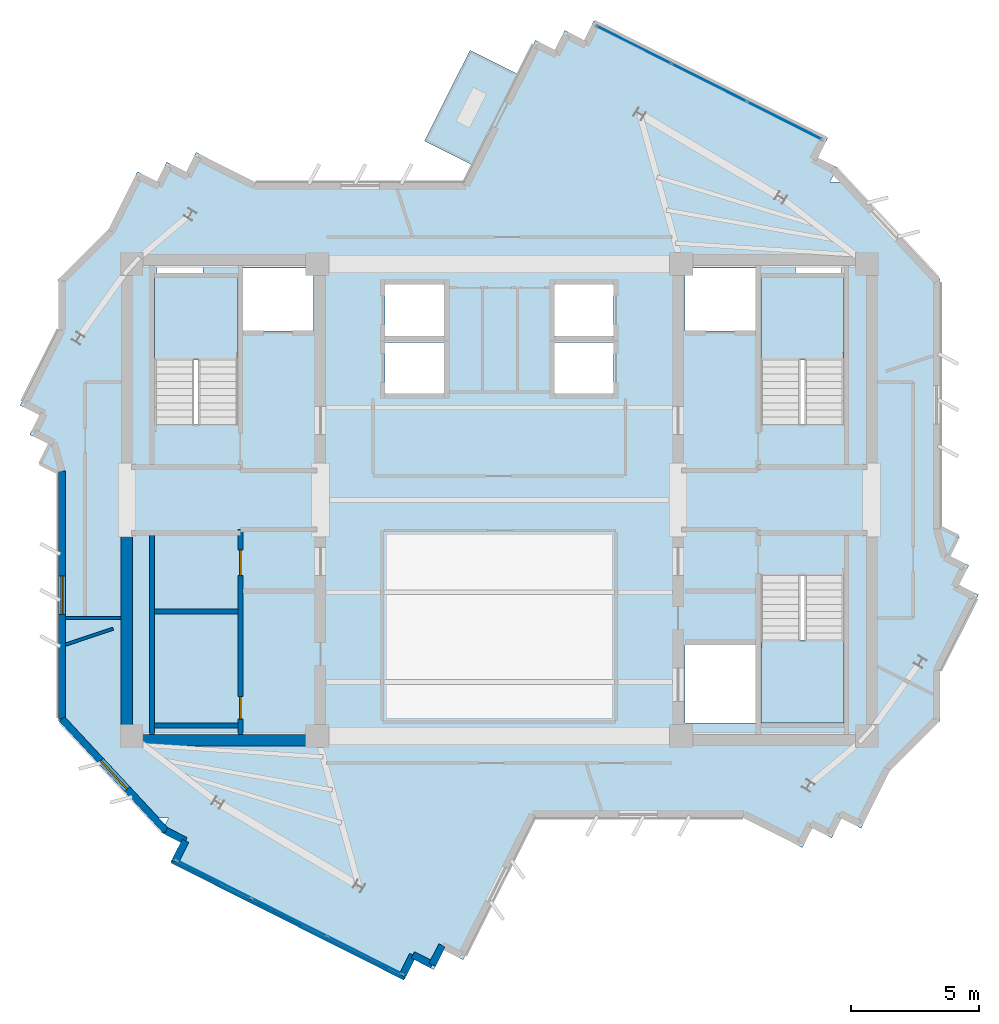
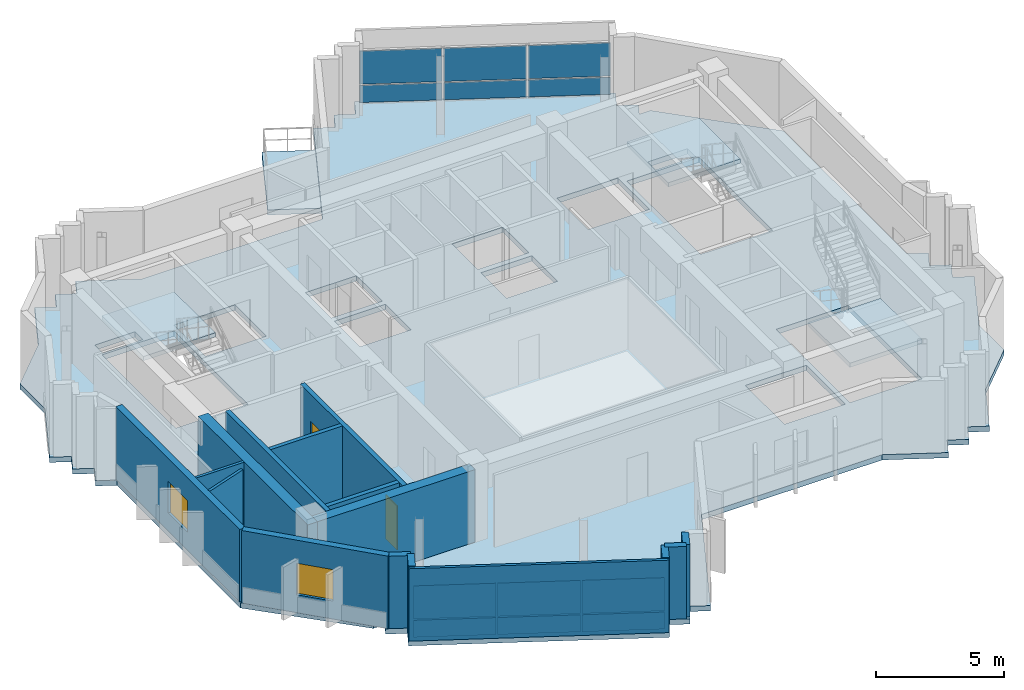
# One storey, part 5 of 11: 16 walls, 12 plates, 5 slabs, 2 doors, 2 windows, 4 openings, 5 elements without a shape of their own.
"""IFC4 building model written with IfcOpenShell, lengths in metres."""

import ifcopenshell
import ifcopenshell.guid

model = None  # the IFC model being written
_history = None  # IfcOwnerHistory: only IFC2X3 demands one
_inside = {}  # id of a spatial element -> (the spatial element, [elements in it])
_under = {}  # id of a project, library or spatial element -> (it, [spatial elements below it])
_declared = {}  # id of a project -> (the project, [libraries it declares])
_typed = {}  # id of a type object -> (the type object, [elements of that type])
_made_of = {}  # id of a material, layer set ... -> (it, [elements and type objects made of it])


def new_model(schema):
    """Start an empty IFC model of exactly this schema.

    Asked for "IFC4X3", IfcOpenShell would pick the latest addendum, in which some entities
    have other attributes; the version numbers below select the first issue.
    IFC2X3 requires an IfcOwnerHistory on every rooted entity: one is made here for all.
    """
    global model, _history
    if schema == "IFC4X3":
        model = ifcopenshell.file(schema_version=(4, 3, 0, 0))
    else:
        model = ifcopenshell.file(schema=schema)
    _inside.clear()
    _under.clear()
    _declared.clear()
    _typed.clear()
    _made_of.clear()
    _history = None
    if model.schema == "IFC2X3":
        org = make("IfcOrganization", Name="unknown")
        user = make(
            "IfcPersonAndOrganization",
            ThePerson=make("IfcPerson", FamilyName="unknown"),
            TheOrganization=org,
        )
        app = make(
            "IfcApplication",
            ApplicationDeveloper=org,
            Version="unknown",
            ApplicationFullName="unknown",
            ApplicationIdentifier="unknown",
        )
        _history = make(
            "IfcOwnerHistory",
            OwningUser=user,
            OwningApplication=app,
            ChangeAction="ADDED",
            CreationDate=0,
        )
    return model


def make(cls, **values):
    """One entity of the class cls with the attributes given. An attribute that is None is left unset."""
    return model.create_entity(
        cls, **{name: value for name, value in values.items() if value is not None}
    )


def rooted(cls, **values):
    """An entity with a GlobalId (a new one), such as an element, a storey or a relation."""
    return make(cls, GlobalId=ifcopenshell.guid.new(), OwnerHistory=_history, **values)


def si_unit(unit_type, name, prefix=None):
    """IfcSIUnit, for example si_unit("LENGTHUNIT", "METRE", prefix="MILLI")."""
    return make("IfcSIUnit", UnitType=unit_type, Prefix=prefix, Name=name)


def assignment(units):
    """IfcUnitAssignment: the units of a project."""
    return None if units is None else make("IfcUnitAssignment", Units=units)


def point(xyz):
    """IfcCartesianPoint."""
    return None if xyz is None else make("IfcCartesianPoint", Coordinates=xyz)


def direction(xyz):
    """IfcDirection."""
    return None if xyz is None else make("IfcDirection", DirectionRatios=xyz)


def frame(location, z_axis=None, x_axis=None):
    """IfcAxis2Placement3D, a coordinate frame: its origin and axes. An axis left out is left unset."""
    return make(
        "IfcAxis2Placement3D",
        Location=point(location),
        Axis=direction(z_axis),
        RefDirection=direction(x_axis),
    )


def frame_2d(location, x_axis=None):
    """IfcAxis2Placement2D, a coordinate frame in the plane: its origin and x axis."""
    return make(
        "IfcAxis2Placement2D", Location=point(location), RefDirection=direction(x_axis)
    )


def origin():
    """The frame at (0, 0, 0) with its axes left unset."""
    return frame((0.0, 0.0, 0.0))


def origin_2d():
    """The frame at (0, 0) in the plane with its x axis left unset."""
    return frame_2d((0.0, 0.0))


def place(relative_to, where):
    """IfcLocalPlacement: puts the frame where relative to a parent placement (None: the world)."""
    return make(
        "IfcLocalPlacement", PlacementRelTo=relative_to, RelativePlacement=where
    )


def context(
    kind, dimensions, precision=None, world=None, true_north=None, identifier=None
):
    """IfcGeometricRepresentationContext, for example the 3D "Model" context."""
    return make(
        "IfcGeometricRepresentationContext",
        ContextIdentifier=identifier,
        ContextType=kind,
        CoordinateSpaceDimension=dimensions,
        Precision=precision,
        WorldCoordinateSystem=world,
        TrueNorth=true_north,
    )


def subcontext(parent, identifier, kind, view, scale=None):
    """IfcGeometricRepresentationSubContext, for example "Body" below "Model"."""
    return make(
        "IfcGeometricRepresentationSubContext",
        ContextIdentifier=identifier,
        ContextType=kind,
        ParentContext=parent,
        TargetScale=scale,
        TargetView=view,
    )


def project(units=None, contexts=None):
    """IfcProject with its units and contexts."""
    return rooted(
        "IfcProject",
        Name="project",
        RepresentationContexts=contexts,
        UnitsInContext=assignment(units),
    )


def spatial(cls, under=None, at=None, **own):
    """A site, building, storey or space (cls), placed at a placement, below another one or the project."""
    s = rooted(cls, ObjectPlacement=at, **own)
    if under is not None:
        _under.setdefault(under.id(), (under, []))[1].append(s)
    return s


def polyline(points):
    """IfcPolyline through the points."""
    return make("IfcPolyline", Points=[point(p) for p in points])


def profile(cls, at=None, kind="AREA", **sizes):
    """A parametric profile (cls). Its sizes go by their IFC names, for example OverallWidth=200.0."""
    return make(cls, ProfileType=kind, Position=at, **sizes)


def rectangle(**sizes):
    """IfcRectangleProfileDef."""
    return profile("IfcRectangleProfileDef", **sizes)


def outline(outer, holes=None, kind="AREA"):
    """IfcArbitraryClosedProfileDef: a profile drawn as a closed curve; with holes, ...WithVoids."""
    if holes is None:
        return make("IfcArbitraryClosedProfileDef", ProfileType=kind, OuterCurve=outer)
    return make(
        "IfcArbitraryProfileDefWithVoids",
        ProfileType=kind,
        OuterCurve=outer,
        InnerCurves=holes,
    )


def extrude(swept, where, along, depth):
    """IfcExtrudedAreaSolid: the profile swept, set in the frame where, extruded along a direction by depth."""
    return make(
        "IfcExtrudedAreaSolid",
        SweptArea=swept,
        Position=where,
        ExtrudedDirection=direction(along),
        Depth=depth,
    )


def shape(context_of_items, identifier, shape_type, items):
    """IfcShapeRepresentation: the items that make up one representation, for example the "Body"."""
    return make(
        "IfcShapeRepresentation",
        ContextOfItems=context_of_items,
        RepresentationIdentifier=identifier,
        RepresentationType=shape_type,
        Items=items,
    )


def source(mapping_origin, context_of_items, identifier, shape_type, items):
    """IfcRepresentationMap: a shape defined once, which mapped items show again and again."""
    return make(
        "IfcRepresentationMap",
        MappingOrigin=mapping_origin,
        MappedRepresentation=shape(context_of_items, identifier, shape_type, items),
    )


def transform(
    local_origin,
    x_axis=None,
    y_axis=None,
    z_axis=None,
    scale=None,
    scale2=None,
    scale3=None,
    uniform=True,
):
    """IfcCartesianTransformationOperator3D, or its non-uniform kind. x_axis, y_axis, z_axis: its Axis1, 2, 3."""
    if uniform:
        return make(
            "IfcCartesianTransformationOperator3D",
            Axis1=direction(x_axis),
            Axis2=direction(y_axis),
            LocalOrigin=point(local_origin),
            Scale=scale,
            Axis3=direction(z_axis),
        )
    return make(
        "IfcCartesianTransformationOperator3DnonUniform",
        Axis1=direction(x_axis),
        Axis2=direction(y_axis),
        LocalOrigin=point(local_origin),
        Scale=scale,
        Axis3=direction(z_axis),
        Scale2=scale2,
        Scale3=scale3,
    )


def mapped(mapping_source, mapping_target):
    """IfcMappedItem: shows the shape of a source again, moved by a transform."""
    return make(
        "IfcMappedItem", MappingSource=mapping_source, MappingTarget=mapping_target
    )


def material(Name=None, Category=None):
    """IfcMaterial."""
    return make("IfcMaterial", Name=Name, Category=Category)


def layer(
    of_material, thickness, ventilated=None, Name=None, Category=None, Priority=None
):
    """IfcMaterialLayer: one layer of a wall or slab, of a material (None: an air gap)."""
    return make(
        "IfcMaterialLayer",
        Material=of_material,
        LayerThickness=thickness,
        IsVentilated=ventilated,
        Name=Name,
        Category=Category,
        Priority=Priority,
    )


def layer_set(layers, Name=None):
    """IfcMaterialLayerSet."""
    return make("IfcMaterialLayerSet", MaterialLayers=layers, LayerSetName=Name)


def made_of(thing, what):
    """Note that an element or type object is made of a material, layer set ...; save() writes the relation."""
    if what is not None:
        _made_of.setdefault(what.id(), (what, []))[1].append(thing)
    return thing


def type_object(cls, material=None, **own):
    """A type object (cls), such as IfcWallType, which elements share."""
    return made_of(rooted(cls, **own), material)


def element(
    cls,
    number,
    at=None,
    inside=None,
    cuts=None,
    type_object=None,
    material=None,
    context=None,
    identifier="Body",
    shape_type=None,
    held_by="IfcProductDefinitionShape",
    body=None,
    shapes=None,
    **own,
):
    """One element of the class cls, such as IfcWall. Its Tag is "e" and its number.

    at: its placement. inside: the storey or other place that contains it. cuts: it is an
    opening in that element (IfcRelVoidsElement). A single representation is given by context,
    identifier, shape_type and body (its items); several are given by shapes. held_by: the class
    of the entity that holds the representations. save() writes the other relations.
    """
    e = rooted(cls, Tag="e%d" % number, ObjectPlacement=at, **own)
    if body is not None:
        shapes = [shape(context, identifier, shape_type, body)]
    if shapes is not None:
        e.Representation = make(held_by, Representations=shapes)
    if inside is not None:
        _inside.setdefault(inside.id(), (inside, []))[1].append(e)
    if cuts is not None:
        rooted(
            "IfcRelVoidsElement", RelatingBuildingElement=cuts, RelatedOpeningElement=e
        )
    if type_object is not None:
        _typed.setdefault(type_object.id(), (type_object, []))[1].append(e)
    return made_of(e, material)


def fill(opening, filler):
    """IfcRelFillsElement: the door or window that sits in an opening."""
    return rooted(
        "IfcRelFillsElement",
        RelatingOpeningElement=opening,
        RelatedBuildingElement=filler,
    )


def aggregate(whole, parts):
    """IfcRelAggregates: a whole, such as a stair, and the parts it consists of."""
    return rooted("IfcRelAggregates", RelatingObject=whole, RelatedObjects=parts)


def save(model, path):
    """Write the relations noted so far, then the file.

    IfcRelAggregates (storeys below a building ...), IfcRelContainedInSpatialStructure (elements
    in a storey), IfcRelDefinesByType, IfcRelAssociatesMaterial and IfcRelDeclares: one each for
    every whole, place, type object, material and project.
    """
    for whole, parts in _under.values():
        aggregate(whole, parts)
    for where, things in _inside.values():
        rooted(
            "IfcRelContainedInSpatialStructure",
            RelatedElements=things,
            RelatingStructure=where,
        )
    for kind, things in _typed.values():
        rooted("IfcRelDefinesByType", RelatedObjects=things, RelatingType=kind)
    for what, things in _made_of.values():
        rooted("IfcRelAssociatesMaterial", RelatedObjects=things, RelatingMaterial=what)
    for by, libraries in _declared.values():
        rooted("IfcRelDeclares", RelatingContext=by, RelatedDefinitions=libraries)
    model.write(path)


model = new_model("IFC4")

# Units and contexts
model_context = context("Model", 3, precision=1e-05, world=origin(), true_north=direction((0.0, 1.0)))
body_context = subcontext(model_context, "Body", "Model", "MODEL_VIEW")
ifc_project = project(units=[si_unit("LENGTHUNIT", "METRE"), si_unit("AREAUNIT", "SQUARE_METRE"), si_unit("VOLUMEUNIT", "CUBIC_METRE"), si_unit("PLANEANGLEUNIT", "RADIAN"), si_unit("MASSUNIT", "GRAM", prefix="KILO")], contexts=[model_context])

# Site, building, storey
site_placement = place(None, origin())
site = spatial("IfcSite", under=ifc_project, at=site_placement, CompositionType="ELEMENT")
building_placement = place(site_placement, origin())
building = spatial("IfcBuilding", under=site, at=building_placement, Name="Zahravan Cultural Tower", CompositionType="ELEMENT")
storey_placement = place(building_placement, frame((0.0, 0.0, 357.300048828125)))
storey = spatial("IfcBuildingStorey", under=building, at=storey_placement, Name="L87", CompositionType="ELEMENT", Elevation=357.300048828125)

# Stair, slab
ifc_material_1 = material(Name="Concrete C45/55", Category="concrete")
stair_type = type_object("IfcStairType", Name="STR-DL-1550-375", PredefinedType="HALF_TURN_STAIR", material=ifc_material_1)
stair_1_placement = place(storey_placement, origin())
stair_1 = element("IfcStair", 1, at=stair_1_placement, inside=storey, type_object=stair_type, Name="L87 West Core North Exit Stair ST-W1", PredefinedType="HALF_TURN_STAIR")
ifc_layer_1 = layer(ifc_material_1, 0.199951171875)
ifc_layer_set_1 = layer_set([ifc_layer_1], Name="Concrete C45/55")
slab_type_1 = type_object("IfcSlabType", Name="SL-STAIR-LND200", PredefinedType="LANDING", material=ifc_layer_set_1)
slab_1_placement = place(storey_placement, frame((0.0, 0.0, 1.675048828125)))
slab_1 = element("IfcSlab", 2, at=slab_1_placement, type_object=slab_type_1, Name="ST-W1 landing 1", PredefinedType="LANDING", context=body_context, shape_type="SweptSolid", body=[
    extrude(outline(polyline([(25.800048828125, 32.469970703125), (25.800048828125, 35.699951171875), (22.550048828125, 35.699951171875), (22.550048828125, 32.469970703125), (25.800048828125, 32.469970703125)])), origin(), (0.0, 0.0, 1.0), 0.199951171875),
])
aggregate(stair_1, [slab_1])

stair_2_placement = place(storey_placement, origin())
stair_2 = element("IfcStair", 3, at=stair_2_placement, inside=storey, type_object=stair_type, Name="L87 East Core North Exit Stair ST-E1", PredefinedType="HALF_TURN_STAIR")
slab_2_placement = place(storey_placement, frame((0.0, 0.0, 1.675048828125)))
slab_2 = element("IfcSlab", 4, at=slab_2_placement, type_object=slab_type_1, Name="ST-E1 landing 1", PredefinedType="LANDING", context=body_context, shape_type="SweptSolid", body=[
    extrude(outline(polyline([(49.449951171875, 32.469970703125), (49.449951171875, 35.699951171875), (46.199951171875, 35.699951171875), (46.199951171875, 32.469970703125), (49.449951171875, 32.469970703125)])), origin(), (0.0, 0.0, 1.0), 0.199951171875),
])
aggregate(stair_2, [slab_2])

stair_3_placement = place(storey_placement, origin())
stair_3 = element("IfcStair", 5, at=stair_3_placement, inside=storey, type_object=stair_type, Name="L87 East Core South Exit Stair ST-E2", PredefinedType="HALF_TURN_STAIR")
slab_3_placement = place(storey_placement, frame((0.0, 0.0, 1.675048828125)))
slab_3 = element("IfcSlab", 6, at=slab_3_placement, type_object=slab_type_1, Name="ST-E2 landing 1", PredefinedType="LANDING", context=body_context, shape_type="SweptSolid", body=[
    extrude(outline(polyline([(46.199951171875, 21.530029296875), (46.199951171875, 18.300048828125), (49.449951171875, 18.300048828125), (49.449951171875, 21.530029296875), (46.199951171875, 21.530029296875)])), origin(), (0.0, 0.0, 1.0), 0.199951171875),
])
aggregate(stair_3, [slab_3])

# Slabs
ifc_material_2 = material(Name="Concrete C40/50", Category="concrete")
ifc_layer_2 = layer(ifc_material_2, 0.239990234375)
ifc_layer_set_2 = layer_set([ifc_layer_2], Name="Concrete C40/50")
slab_type_2 = type_object("IfcSlabType", Name="SL-TERR-240", PredefinedType="FLOOR", material=ifc_layer_set_2)
slab_4_placement = place(storey_placement, frame((0.0, 0.0, -0.239990234375)))
element("IfcSlab", 7, at=slab_4_placement, inside=storey, type_object=slab_type_2, Name="L87 Planted Sculpture Terrace NE", PredefinedType="FLOOR", context=body_context, shape_type="SweptSolid", body=[
    extrude(outline(polyline([(33.081298828125, 41.004638671875), (34.952880859375, 40.0634765625), (36.732421875, 43.601318359375), (34.860595703125, 44.54248046875), (33.081298828125, 41.004638671875)])), origin(), (0.0, 0.0, 1.0), 0.239990234375),
])
ifc_layer_3 = layer(ifc_material_2, 0.25)
ifc_layer_set_3 = layer_set([ifc_layer_3], Name="Concrete C40/50")
slab_type_3 = type_object("IfcSlabType", Name="SL-TYP-250", PredefinedType="FLOOR", material=ifc_layer_set_3)
slab_5_placement = place(storey_placement, frame((0.0, 0.0, -0.25)))
element("IfcSlab", 8, at=slab_5_placement, inside=storey, type_object=slab_type_3, Name="L87 Structural Floor Slab", PredefinedType="FLOOR", context=body_context, shape_type="SweptSolid", body=[
    extrude(outline(polyline([(34.625, 39.39990234375), (26.4794921875, 39.39990234375), (24.171875, 40.560546875), (23.789794921875, 39.80126953125), (23.030517578125, 40.18310546875), (22.648681640625, 39.423828125), (21.88916015625, 39.8056640625), (20.759521484375, 37.5595703125), (18.800048828125, 35.60009765625), (18.800048828125, 33.663330078125), (17.30615234375, 30.693359375), (18.0654296875, 30.311279296875), (17.68359375, 29.552001953125), (18.443115234375, 29.170166015625), (18.06103515625, 28.41064453125), (18.800048828125, 28.0390625), (18.800048828125, 18.39990234375), (22.60009765625, 14.60009765625), (23.103271484375, 14.60009765625), (22.81689453125, 14.030517578125), (23.576171875, 13.648681640625), (23.1943359375, 12.88916015625), (32.306640625, 8.30615234375), (32.688720703125, 9.0654296875), (33.447998046875, 8.68359375), (33.829833984375, 9.443115234375), (34.58935546875, 9.06103515625), (37.375, 14.60009765625), (45.5205078125, 14.60009765625), (47.828125, 13.439453125), (48.210205078125, 14.19873046875), (48.969482421875, 13.81689453125), (49.351318359375, 14.576171875), (50.11083984375, 14.1943359375), (51.240478515625, 16.4404296875), (53.199951171875, 18.39990234375), (53.199951171875, 20.336669921875), (54.69384765625, 23.306640625), (53.9345703125, 23.688720703125), (54.31640625, 24.447998046875), (53.556884765625, 24.829833984375), (53.93896484375, 25.58935546875), (53.199951171875, 25.9609375), (53.199951171875, 35.60009765625), (49.39990234375, 39.39990234375), (48.896728515625, 39.39990234375), (49.18310546875, 39.969482421875), (48.423828125, 40.351318359375), (48.8056640625, 41.11083984375), (39.693359375, 45.69384765625), (39.311279296875, 44.9345703125), (38.552001953125, 45.31640625), (38.170166015625, 44.556884765625), (37.41064453125, 44.93896484375), (34.625, 39.39990234375)]), holes=[polyline([(22.550048828125, 29.949951171875), (22.550048828125, 35.699951171875), (25.800048828125, 35.699951171875), (25.800048828125, 29.949951171875), (22.550048828125, 29.949951171875)]), polyline([(46.199951171875, 29.949951171875), (46.199951171875, 35.699951171875), (49.449951171875, 35.699951171875), (49.449951171875, 29.949951171875), (46.199951171875, 29.949951171875)]), polyline([(46.199951171875, 18.300048828125), (46.199951171875, 24.050048828125), (49.449951171875, 24.050048828125), (49.449951171875, 18.300048828125), (46.199951171875, 18.300048828125)]), polyline([(26.0, 33.60009765625), (26.0, 36.050048828125), (28.75, 36.050048828125), (28.75, 33.60009765625), (26.0, 33.60009765625)]), polyline([(43.25, 33.60009765625), (43.25, 36.050048828125), (46.0, 36.050048828125), (46.0, 33.60009765625), (43.25, 33.60009765625)]), polyline([(43.25, 18.300048828125), (43.25, 21.35009765625), (46.0, 21.35009765625), (46.0, 18.300048828125), (43.25, 18.300048828125)]), polyline([(31.550048828125, 33.39990234375), (31.550048828125, 35.39990234375), (33.85009765625, 35.39990234375), (33.85009765625, 33.39990234375), (31.550048828125, 33.39990234375)]), polyline([(31.550048828125, 31.14990234375), (31.550048828125, 33.14990234375), (33.85009765625, 33.14990234375), (33.85009765625, 31.14990234375), (31.550048828125, 31.14990234375)]), polyline([(38.14990234375, 33.39990234375), (38.14990234375, 35.39990234375), (40.449951171875, 35.39990234375), (40.449951171875, 33.39990234375), (38.14990234375, 33.39990234375)]), polyline([(38.14990234375, 31.14990234375), (38.14990234375, 33.14990234375), (40.449951171875, 33.14990234375), (40.449951171875, 31.14990234375), (38.14990234375, 31.14990234375)]), polyline([(22.64990234375, 35.800048828125), (22.64990234375, 36.419921875), (24.449951171875, 36.419921875), (24.449951171875, 35.800048828125), (22.64990234375, 35.800048828125)]), polyline([(47.550048828125, 35.800048828125), (47.550048828125, 36.419921875), (49.35009765625, 36.419921875), (49.35009765625, 35.800048828125), (47.550048828125, 35.800048828125)])]), origin(), (0.0, 0.0, 1.0), 0.25),
])

# Curtain wall, plates
ifc_material_3 = material(Name="Anodised bronze-aluminium mullion", Category="aluminium")
ifc_layer_4 = layer(ifc_material_3, 0.14990234375)
ifc_layer_set_4 = layer_set([ifc_layer_4], Name="Anodised bronze-aluminium mullion")
curtain_wall_type = type_object("IfcCurtainWallType", Name="CW-SYS-6", PredefinedType="USERDEFINED", material=ifc_layer_set_4)
curtain_wall_1_placement = place(storey_placement, origin())
curtain_wall_1 = element("IfcCurtainWall", 9, at=curtain_wall_1_placement, inside=storey, type_object=curtain_wall_type, Name="L87 Recessed Curtain Wall CW-6.1", ObjectType="OBSERVATORY LANTERN", PredefinedType="USERDEFINED")
ifc_material_4 = material(Name="Low-E solar-control double glazing", Category="glass")
ifc_layer_5 = layer(ifc_material_4, 0.033935546875)
ifc_layer_set_5 = layer_set([ifc_layer_5], Name="Low-E solar-control double glazing")
plate_type = type_object("IfcPlateType", Name="CWP-CW-6", PredefinedType="CURTAIN_PANEL", material=ifc_layer_set_5)
shared_shape_1 = source(origin(), body_context, "Body", "SweptSolid", [
    extrude(rectangle(XDim=3.216552734375, YDim=0.033935546875, at=origin_2d()), origin(), (0.0, 0.0, 1.0), 0.81005859375),
])
plate_1_placement = place(storey_placement, frame((41.245849609375, 44.756103515625, 0.059814453125), z_axis=(0.0, 0.0, 1.0), x_axis=(0.893372288669, -0.449317208482, 0.0)))
plate_1 = element("IfcPlate", 10, at=plate_1_placement, type_object=plate_type, Name="CW-6 panel 1.1", PredefinedType="CURTAIN_PANEL", context=body_context, shape_type="MappedRepresentation", body=[
    mapped(shared_shape_1, transform((0.0, 0.0, 0.0), x_axis=(1.0, 0.0, 0.0), y_axis=(0.0, 1.0, 0.0), z_axis=(0.0, 0.0, 1.0), scale=1.0)),
])
plate_2_placement = place(storey_placement, frame((47.127197265625, 41.798095703125, 0.059814453125), z_axis=(0.0, 0.0, 1.0), x_axis=(0.893372288669, -0.449317208482, 0.0)))
plate_2 = element("IfcPlate", 11, at=plate_2_placement, type_object=plate_type, Name="CW-6 panel 3.1", PredefinedType="CURTAIN_PANEL", context=body_context, shape_type="MappedRepresentation", body=[
    mapped(shared_shape_1, transform((0.0, 0.0, 0.0), x_axis=(1.0, 0.0, 0.0), y_axis=(0.0, 1.0, 0.0), z_axis=(0.0, 0.0, 1.0), scale=1.0)),
])

curtain_wall_2_placement = place(storey_placement, origin())
curtain_wall_2 = element("IfcCurtainWall", 12, at=curtain_wall_2_placement, inside=storey, type_object=curtain_wall_type, Name="L87 Recessed Curtain Wall CW-6.2", ObjectType="OBSERVATORY LANTERN", PredefinedType="USERDEFINED")
plate_3_placement = place(storey_placement, frame((30.754150390625, 9.243896484375, 0.059814453125), z_axis=(0.0, 0.0, 1.0), x_axis=(-0.893372288669, 0.449317208482, 0.0)))
plate_3 = element("IfcPlate", 13, at=plate_3_placement, type_object=plate_type, Name="CW-6 panel 1.1", PredefinedType="CURTAIN_PANEL", context=body_context, shape_type="MappedRepresentation", body=[
    mapped(shared_shape_1, transform((0.0, 0.0, 0.0), x_axis=(1.0, 0.0, 0.0), y_axis=(0.0, 1.0, 0.0), z_axis=(0.0, 0.0, 1.0), scale=1.0)),
])
plate_4_placement = place(storey_placement, frame((24.872802734375, 12.201904296875, 0.059814453125), z_axis=(0.0, 0.0, 1.0), x_axis=(-0.893372288669, 0.449317208482, 0.0)))
plate_4 = element("IfcPlate", 14, at=plate_4_placement, type_object=plate_type, Name="CW-6 panel 3.1", PredefinedType="CURTAIN_PANEL", context=body_context, shape_type="MappedRepresentation", body=[
    mapped(shared_shape_1, transform((0.0, 0.0, 0.0), x_axis=(1.0, 0.0, 0.0), y_axis=(0.0, 1.0, 0.0), z_axis=(0.0, 0.0, 1.0), scale=1.0)),
])

# Plate
shared_shape_2 = source(origin(), body_context, "Body", "SweptSolid", [
    extrude(rectangle(XDim=3.24658203125, YDim=0.033935546875, at=origin_2d()), origin(), (0.0, 0.0, 1.0), 0.81005859375),
])
plate_5_placement = place(storey_placement, frame((44.1865234375, 43.277099609375, 0.059814453125), z_axis=(0.0, 0.0, 1.0), x_axis=(0.893372288669, -0.449317208482, 0.0)))
plate_5 = element("IfcPlate", 15, at=plate_5_placement, type_object=plate_type, Name="CW-6 panel 2.1", PredefinedType="CURTAIN_PANEL", context=body_context, shape_type="MappedRepresentation", body=[
    mapped(shared_shape_2, transform((0.0, 0.0, 0.0), x_axis=(1.0, 0.0, 0.0), y_axis=(0.0, 1.0, 0.0), z_axis=(0.0, 0.0, 1.0), scale=1.0)),
])

plate_6_placement = place(storey_placement, frame((27.8134765625, 10.722900390625, 0.059814453125), z_axis=(0.0, 0.0, 1.0), x_axis=(-0.893372288669, 0.449317208482, 0.0)))
plate_6 = element("IfcPlate", 16, at=plate_6_placement, type_object=plate_type, Name="CW-6 panel 2.1", PredefinedType="CURTAIN_PANEL", context=body_context, shape_type="MappedRepresentation", body=[
    mapped(shared_shape_2, transform((0.0, 0.0, 0.0), x_axis=(1.0, 0.0, 0.0), y_axis=(0.0, 1.0, 0.0), z_axis=(0.0, 0.0, 1.0), scale=1.0)),
])

shared_shape_3 = source(origin(), body_context, "Body", "SweptSolid", [
    extrude(rectangle(XDim=3.216552734375, YDim=0.033935546875, at=origin_2d()), origin(), (0.0, 0.0, 1.0), 1.580078125),
])
plate_7_placement = place(storey_placement, frame((41.245849609375, 44.756103515625, 0.929931640625), z_axis=(0.0, 0.0, 1.0), x_axis=(0.893372288669, -0.449317208482, 0.0)))
plate_7 = element("IfcPlate", 17, at=plate_7_placement, type_object=plate_type, Name="CW-6 panel 1.2", PredefinedType="CURTAIN_PANEL", context=body_context, shape_type="MappedRepresentation", body=[
    mapped(shared_shape_3, transform((0.0, 0.0, 0.0), x_axis=(1.0, 0.0, 0.0), y_axis=(0.0, 1.0, 0.0), z_axis=(0.0, 0.0, 1.0), scale=1.0)),
])

plate_8_placement = place(storey_placement, frame((47.127197265625, 41.798095703125, 0.929931640625), z_axis=(0.0, 0.0, 1.0), x_axis=(0.893372288669, -0.449317208482, 0.0)))
plate_8 = element("IfcPlate", 18, at=plate_8_placement, type_object=plate_type, Name="CW-6 panel 3.2", PredefinedType="CURTAIN_PANEL", context=body_context, shape_type="MappedRepresentation", body=[
    mapped(shared_shape_3, transform((0.0, 0.0, 0.0), x_axis=(1.0, 0.0, 0.0), y_axis=(0.0, 1.0, 0.0), z_axis=(0.0, 0.0, 1.0), scale=1.0)),
])

plate_9_placement = place(storey_placement, frame((30.754150390625, 9.243896484375, 0.929931640625), z_axis=(0.0, 0.0, 1.0), x_axis=(-0.893372288669, 0.449317208482, 0.0)))
plate_9 = element("IfcPlate", 19, at=plate_9_placement, type_object=plate_type, Name="CW-6 panel 1.2", PredefinedType="CURTAIN_PANEL", context=body_context, shape_type="MappedRepresentation", body=[
    mapped(shared_shape_3, transform((0.0, 0.0, 0.0), x_axis=(1.0, 0.0, 0.0), y_axis=(0.0, 1.0, 0.0), z_axis=(0.0, 0.0, 1.0), scale=1.0)),
])

plate_10_placement = place(storey_placement, frame((24.872802734375, 12.201904296875, 0.929931640625), z_axis=(0.0, 0.0, 1.0), x_axis=(-0.893372288669, 0.449317208482, 0.0)))
plate_10 = element("IfcPlate", 20, at=plate_10_placement, type_object=plate_type, Name="CW-6 panel 3.2", PredefinedType="CURTAIN_PANEL", context=body_context, shape_type="MappedRepresentation", body=[
    mapped(shared_shape_3, transform((0.0, 0.0, 0.0), x_axis=(1.0, 0.0, 0.0), y_axis=(0.0, 1.0, 0.0), z_axis=(0.0, 0.0, 1.0), scale=1.0)),
])

shared_shape_4 = source(origin(), body_context, "Body", "SweptSolid", [
    extrude(rectangle(XDim=3.24658203125, YDim=0.033935546875, at=origin_2d()), origin(), (0.0, 0.0, 1.0), 1.580078125),
])
plate_11_placement = place(storey_placement, frame((44.1865234375, 43.277099609375, 0.929931640625), z_axis=(0.0, 0.0, 1.0), x_axis=(0.893372288669, -0.449317208482, 0.0)))
plate_11 = element("IfcPlate", 21, at=plate_11_placement, type_object=plate_type, Name="CW-6 panel 2.2", PredefinedType="CURTAIN_PANEL", context=body_context, shape_type="MappedRepresentation", body=[
    mapped(shared_shape_4, transform((0.0, 0.0, 0.0), x_axis=(1.0, 0.0, 0.0), y_axis=(0.0, 1.0, 0.0), z_axis=(0.0, 0.0, 1.0), scale=1.0)),
])

aggregate(curtain_wall_1, [plate_1, plate_7, plate_5, plate_11, plate_2, plate_8])

plate_12_placement = place(storey_placement, frame((27.8134765625, 10.722900390625, 0.929931640625), z_axis=(0.0, 0.0, 1.0), x_axis=(-0.893372288669, 0.449317208482, 0.0)))
plate_12 = element("IfcPlate", 22, at=plate_12_placement, type_object=plate_type, Name="CW-6 panel 2.2", PredefinedType="CURTAIN_PANEL", context=body_context, shape_type="MappedRepresentation", body=[
    mapped(shared_shape_4, transform((0.0, 0.0, 0.0), x_axis=(1.0, 0.0, 0.0), y_axis=(0.0, 1.0, 0.0), z_axis=(0.0, 0.0, 1.0), scale=1.0)),
])

aggregate(curtain_wall_2, [plate_3, plate_9, plate_6, plate_12, plate_4, plate_10])

# Wall, opening, window
ifc_material_5 = material(Name="Precast concrete C40/50", Category="concrete")
ifc_layer_6 = layer(ifc_material_5, 0.280029296875)
ifc_layer_set_6 = layer_set([ifc_layer_6], Name="Precast concrete C40/50")
wall_type_1 = type_object("IfcWallType", Name="EW-TC-280", PredefinedType="SOLIDWALL", material=ifc_layer_set_6)
wall_1_placement = place(storey_placement, frame((23.0048828125, 14.0927734375, 0.0), z_axis=(0.0, 0.0, 1.0), x_axis=(-0.681486568047, 0.731830620821, 0.0)))
wall_1 = element("IfcWall", 23, at=wall_1_placement, inside=storey, type_object=wall_type_1, Name="L87 Exterior Masonry Frame Wall 31", PredefinedType="SOLIDWALL", context=body_context, shape_type="SweptSolid", body=[
    extrude(rectangle(XDim=5.96484375, YDim=0.280029296875, at=frame_2d((2.982421875, 0.0))), origin(), (0.0, 0.0, 1.0), 3.449951171875),
])
opening_1_placement = place(wall_1_placement, frame((2.23193359375, 0.0, 0.85009765625)))
opening_1 = element("IfcOpeningElement", 24, at=opening_1_placement, cuts=wall_1, Name="Opening WN-03", PredefinedType="OPENING", context=body_context, shape_type="SweptSolid", body=[
    extrude(rectangle(XDim=1.5, YDim=1.5, at=frame_2d((0.75, 0.75))), frame((0.0, 0.14990234375, 0.0), z_axis=(0.0, -1.0, 0.0), x_axis=(1.0, 0.0, 0.0)), (0.0, 0.0, 1.0), 0.300048828125),
])
window_type = type_object("IfcWindowType", Name="WN-REC-1500X1500", PartitioningType="SINGLE_PANEL", PredefinedType="WINDOW", material=ifc_material_4)
shared_shape_5 = source(origin(), body_context, "Body", "SweptSolid", [
    extrude(rectangle(XDim=1.5, YDim=1.5, at=frame_2d((0.75, 0.75))), frame((0.0, 0.030029296875, 0.0), z_axis=(0.0, -1.0, 0.0), x_axis=(1.0, 0.0, 0.0)), (0.0, 0.0, 1.0), 0.06005859375),
])
window_1_placement = place(opening_1_placement, origin())
window_1 = element("IfcWindow", 25, at=window_1_placement, inside=storey, type_object=window_type, Name="L87 Recessed Solar Window 05", OverallHeight=1.5, OverallWidth=1.5, PartitioningType="SINGLE_PANEL", PredefinedType="WINDOW", context=body_context, shape_type="MappedRepresentation", body=[
    mapped(shared_shape_5, transform((0.0, 0.0, 0.0), x_axis=(1.0, 0.0, 0.0), y_axis=(0.0, 1.0, 0.0), z_axis=(0.0, 0.0, 1.0), scale=1.0)),
])
fill(opening_1, window_1)

wall_2_placement = place(storey_placement, frame((18.93994140625, 18.4580078125, 0.0), z_axis=(0.0, 0.0, 1.0), x_axis=(0.0, 1.0, 0.0)))
wall_2 = element("IfcWall", 26, at=wall_2_placement, inside=storey, type_object=wall_type_1, Name="L87 Exterior Masonry Frame Wall 32", PredefinedType="SOLIDWALL", context=body_context, shape_type="SweptSolid", body=[
    extrude(rectangle(XDim=9.66748046875, YDim=0.280029296875, at=frame_2d((4.833740234375, 0.0))), origin(), (0.0, 0.0, 1.0), 3.449951171875),
])
opening_2_placement = place(wall_2_placement, frame((4.083984375, 0.0, 0.85009765625)))
opening_2 = element("IfcOpeningElement", 27, at=opening_2_placement, cuts=wall_2, Name="Opening WN-03", PredefinedType="OPENING", context=body_context, shape_type="SweptSolid", body=[
    extrude(rectangle(XDim=1.5, YDim=1.5, at=frame_2d((0.75, 0.75))), frame((0.0, 0.14990234375, 0.0), z_axis=(0.0, -1.0, 0.0), x_axis=(1.0, 0.0, 0.0)), (0.0, 0.0, 1.0), 0.300048828125),
])
window_2_placement = place(opening_2_placement, origin())
window_2 = element("IfcWindow", 28, at=window_2_placement, inside=storey, type_object=window_type, Name="L87 Recessed Solar Window 06", OverallHeight=1.5, OverallWidth=1.5, PartitioningType="SINGLE_PANEL", PredefinedType="WINDOW", context=body_context, shape_type="MappedRepresentation", body=[
    mapped(shared_shape_5, transform((0.0, 0.0, 0.0), x_axis=(1.0, 0.0, 0.0), y_axis=(0.0, 1.0, 0.0), z_axis=(0.0, 0.0, 1.0), scale=1.0)),
])
fill(opening_2, window_2)

# Wall, openings, doors
ifc_layer_7 = layer(ifc_material_1, 0.199951171875)
ifc_layer_set_7 = layer_set([ifc_layer_7], Name="Concrete C45/55")
wall_type_2 = type_object("IfcWallType", Name="W-SHAFT-200", PredefinedType="SOLIDWALL", material=ifc_layer_set_7)
wall_3_placement = place(storey_placement, frame((25.89990234375, 17.85009765625, 0.0), z_axis=(0.0, 0.0, 1.0), x_axis=(0.0, 1.0, 0.0)))
wall_3 = element("IfcWall", 29, at=wall_3_placement, inside=storey, type_object=wall_type_2, Name="L87 Interior Wall 005", PredefinedType="SOLIDWALL", context=body_context, shape_type="SweptSolid", body=[
    extrude(rectangle(XDim=8.0, YDim=0.199951171875, at=frame_2d((4.0, 0.0))), origin(), (0.0, 0.0, 1.0), 3.449951171875),
])
opening_3_placement = place(wall_3_placement, frame((6.199951171875, 0.0, 0.0)))
opening_3 = element("IfcOpeningElement", 30, at=opening_3_placement, cuts=wall_3, Name="Opening D-L87-04", PredefinedType="OPENING", context=body_context, shape_type="SweptSolid", body=[
    extrude(rectangle(XDim=1.0, YDim=2.14990234375, at=frame_2d((0.5, 1.074951171875))), frame((0.0, 0.10986328125, 0.0), z_axis=(0.0, -1.0, 0.0), x_axis=(1.0, 0.0, 0.0)), (0.0, 0.0, 1.0), 0.219970703125),
])
opening_4_placement = place(wall_3_placement, frame((0.60009765625, 0.0, 0.0)))
opening_4 = element("IfcOpeningElement", 31, at=opening_4_placement, cuts=wall_3, Name="Opening D-L87-05", PredefinedType="OPENING", context=body_context, shape_type="SweptSolid", body=[
    extrude(rectangle(XDim=0.8798828125, YDim=2.10009765625, at=frame_2d((0.43994140625, 1.050048828125))), frame((0.0, 0.10986328125, 0.0), z_axis=(0.0, -1.0, 0.0), x_axis=(1.0, 0.0, 0.0)), (0.0, 0.0, 1.0), 0.219970703125),
])
ifc_material_6 = material(Name="Steel ASTM A572 Grade 50", Category="steel")
door_type_1 = type_object("IfcDoorType", Name="DR-SVC-880", OperationType="NOTDEFINED", PredefinedType="DOOR", material=ifc_material_6)
shared_shape_6 = source(origin(), body_context, "Body", "SweptSolid", [
    extrude(rectangle(XDim=0.8798828125, YDim=2.10009765625, at=frame_2d((0.43994140625, 1.050048828125))), frame((0.0, 0.02490234375, 0.0), z_axis=(0.0, -1.0, 0.0), x_axis=(1.0, 0.0, 0.0)), (0.0, 0.0, 1.0), 0.050048828125),
])
door_1_placement = place(opening_4_placement, origin())
door_1 = element("IfcDoor", 32, at=door_1_placement, inside=storey, type_object=door_type_1, Name="L87 Door D-L87-05", OperationType="SINGLE_SWING_RIGHT", OverallHeight=2.10009765625, OverallWidth=0.8798828125, PredefinedType="DOOR", context=body_context, shape_type="MappedRepresentation", body=[
    mapped(shared_shape_6, transform((0.0, 0.0, 0.0), x_axis=(1.0, 0.0, 0.0), y_axis=(0.0, 1.0, 0.0), z_axis=(0.0, 0.0, 1.0), scale=1.0)),
])
fill(opening_4, door_1)
door_type_2 = type_object("IfcDoorType", Name="DR-COMP-1000", OperationType="NOTDEFINED", PredefinedType="DOOR", material=ifc_material_6)
shared_shape_7 = source(origin(), body_context, "Body", "SweptSolid", [
    extrude(rectangle(XDim=1.0, YDim=2.14990234375, at=frame_2d((0.5, 1.074951171875))), frame((0.0, 0.02490234375, 0.0), z_axis=(0.0, -1.0, 0.0), x_axis=(1.0, 0.0, 0.0)), (0.0, 0.0, 1.0), 0.050048828125),
])
door_2_placement = place(opening_3_placement, origin())
door_2 = element("IfcDoor", 33, at=door_2_placement, inside=storey, type_object=door_type_2, Name="L87 Door D-L87-04", OperationType="SINGLE_SWING_LEFT", OverallHeight=2.14990234375, OverallWidth=1.0, PredefinedType="DOOR", context=body_context, shape_type="MappedRepresentation", body=[
    mapped(shared_shape_7, transform((0.0, 0.0, 0.0), x_axis=(1.0, 0.0, 0.0), y_axis=(0.0, 1.0, 0.0), z_axis=(0.0, 0.0, 1.0), scale=1.0)),
])
fill(opening_3, door_2)

# Walls
ifc_material_7 = material(Name="Concrete C50/60", Category="concrete")
ifc_layer_8 = layer(ifc_material_7, 0.449951171875)
ifc_layer_set_8 = layer_set([ifc_layer_8], Name="Concrete C50/60")
wall_type_3 = type_object("IfcWallType", Name="CW-SHEAR-450-C50", PredefinedType="SHEAR", material=ifc_layer_set_8)
shared_shape_8 = source(origin(), body_context, "Body", "SweptSolid", [
    extrude(rectangle(XDim=8.550048828125, YDim=0.449951171875, at=frame_2d((4.27490234375, 0.0))), origin(), (0.0, 0.0, 1.0), 3.449951171875),
])
wall_4_placement = place(storey_placement, frame((21.47509765625, 17.39990234375, 0.0), z_axis=(0.0, 0.0, 1.0), x_axis=(0.0, 1.0, 0.0)))
element("IfcWall", 34, at=wall_4_placement, inside=storey, type_object=wall_type_3, Name="L87 Core Shear Wall CW-W-WS-L87", PredefinedType="SHEAR", context=body_context, shape_type="MappedRepresentation", body=[
    mapped(shared_shape_8, transform((0.0, 0.0, 0.0), x_axis=(1.0, 0.0, 0.0), y_axis=(0.0, 1.0, 0.0), z_axis=(0.0, 0.0, 1.0), scale=1.0)),
])
shared_shape_9 = source(origin(), body_context, "Body", "SweptSolid", [
    extrude(rectangle(XDim=7.10009765625, YDim=0.449951171875, at=frame_2d((3.550048828125, 0.0))), origin(), (0.0, 0.0, 1.0), 3.449951171875),
])
wall_5_placement = place(storey_placement, frame((21.699951171875, 17.625, 0.0), z_axis=(0.0, 0.0, 1.0), x_axis=(1.0, 0.0, 0.0)))
element("IfcWall", 35, at=wall_5_placement, inside=storey, type_object=wall_type_3, Name="L87 Core Shear Wall CW-W-S-L87", PredefinedType="SHEAR", context=body_context, shape_type="MappedRepresentation", body=[
    mapped(shared_shape_9, transform((0.0, 0.0, 0.0), x_axis=(1.0, 0.0, 0.0), y_axis=(0.0, 1.0, 0.0), z_axis=(0.0, 0.0, 1.0), scale=1.0)),
])
shared_shape_10 = source(origin(), body_context, "Body", "SweptSolid", [
    extrude(rectangle(XDim=0.849853515625, YDim=0.280029296875, at=frame_2d((0.4248046875, 0.0))), origin(), (0.0, 0.0, 1.0), 3.449951171875),
])
for number, where, z_axis, x_axis, name in (
    (36, (33.3857421875, 8.87158203125, 0.0), (0.0, 0.0, 1.0), (-0.89339064965, 0.449280699695, 0.0), "L87 Exterior Masonry Frame Wall 27"),
    (37, (23.38232421875, 12.951416015625, 0.0), (0.0, 0.0, 1.0), (0.449280699695, 0.89339064965, 0.0), "L87 Exterior Masonry Frame Wall 29"),
):
    element("IfcWall", number, at=place(storey_placement, frame(where, z_axis=z_axis, x_axis=x_axis)), inside=storey, type_object=wall_type_1, Name=name, PredefinedType="SOLIDWALL", context=body_context, shape_type="MappedRepresentation", body=[
        mapped(shared_shape_10, transform((0.0, 0.0, 0.0), x_axis=(1.0, 0.0, 0.0), y_axis=(0.0, 1.0, 0.0), z_axis=(0.0, 0.0, 1.0), scale=1.0)),
    ])
shared_shape_11 = source(origin(), body_context, "Body", "SweptSolid", [
    extrude(rectangle(XDim=0.85009765625, YDim=0.280029296875, at=frame_2d((0.425048828125, 0.0))), origin(), (0.0, 0.0, 1.0), 3.449951171875),
])
for number, where, z_axis, x_axis, name in (
    (38, (33.767578125, 9.631103515625, 0.0), (0.0, 0.0, 1.0), (-0.449165422653, -0.893448612452, 0.0), "L87 Exterior Masonry Frame Wall 26"),
    (39, (32.62646484375, 9.25341796875, 0.0), (0.0, 0.0, 1.0), (-0.449509934066, -0.893275332233, 0.0), "L87 Exterior Masonry Frame Wall 28"),
    (40, (23.76416015625, 13.710693359375, 0.0), (0.0, 0.0, 1.0), (-0.893275332233, 0.449509934066, 0.0), "L87 Exterior Masonry Frame Wall 30"),
):
    element("IfcWall", number, at=place(storey_placement, frame(where, z_axis=z_axis, x_axis=x_axis)), inside=storey, type_object=wall_type_1, Name=name, PredefinedType="SOLIDWALL", context=body_context, shape_type="MappedRepresentation", body=[
        mapped(shared_shape_11, transform((0.0, 0.0, 0.0), x_axis=(1.0, 0.0, 0.0), y_axis=(0.0, 1.0, 0.0), z_axis=(0.0, 0.0, 1.0), scale=1.0)),
    ])
shared_shape_12 = source(origin(), body_context, "Body", "SweptSolid", [
    extrude(rectangle(XDim=7.869873046875, YDim=0.199951171875, at=frame_2d((3.93505859375, 0.0))), origin(), (0.0, 0.0, 1.0), 3.449951171875),
])
wall_6_placement = place(storey_placement, frame((22.449951171875, 17.85009765625, 0.0), z_axis=(0.0, 0.0, 1.0), x_axis=(0.0, 1.0, 0.0)))
element("IfcWall", 41, at=wall_6_placement, inside=storey, type_object=wall_type_2, Name="L87 Interior Wall 001", PredefinedType="SOLIDWALL", context=body_context, shape_type="MappedRepresentation", body=[
    mapped(shared_shape_12, transform((0.0, 0.0, 0.0), x_axis=(1.0, 0.0, 0.0), y_axis=(0.0, 1.0, 0.0), z_axis=(0.0, 0.0, 1.0), scale=1.0)),
])
shared_shape_13 = source(origin(), body_context, "Body", "SweptSolid", [
    extrude(rectangle(XDim=3.25, YDim=0.199951171875, at=frame_2d((1.625, 0.0))), origin(), (0.0, 0.0, 1.0), 3.449951171875),
])
wall_7_placement = place(storey_placement, frame((22.550048828125, 18.199951171875, 0.0), z_axis=(0.0, 0.0, 1.0), x_axis=(1.0, 0.0, 0.0)))
element("IfcWall", 42, at=wall_7_placement, inside=storey, type_object=wall_type_2, Name="L87 Interior Wall 019", PredefinedType="SOLIDWALL", context=body_context, shape_type="MappedRepresentation", body=[
    mapped(shared_shape_13, transform((0.0, 0.0, 0.0), x_axis=(1.0, 0.0, 0.0), y_axis=(0.0, 1.0, 0.0), z_axis=(0.0, 0.0, 1.0), scale=1.0)),
])
ifc_material_8 = material(Name="Gypsum plasterboard partition")
ifc_layer_9 = layer(ifc_material_8, 0.179931640625)
ifc_layer_set_9 = layer_set([ifc_layer_9], Name="Gypsum plasterboard partition")
wall_type_4 = type_object("IfcWallType", Name="W-COMP-180", PredefinedType="PARTITIONING", material=ifc_layer_set_9)
shared_shape_14 = source(origin(), body_context, "Body", "SweptSolid", [
    extrude(rectangle(XDim=3.25, YDim=0.179931640625, at=frame_2d((1.625, 0.0))), origin(), (0.0, 0.0, 1.0), 3.449951171875),
])
wall_8_placement = place(storey_placement, frame((22.550048828125, 22.64990234375, 0.0), z_axis=(0.0, 0.0, 1.0), x_axis=(1.0, 0.0, 0.0)))
element("IfcWall", 43, at=wall_8_placement, inside=storey, type_object=wall_type_4, Name="L87 Interior Wall 021", PredefinedType="PARTITIONING", context=body_context, shape_type="MappedRepresentation", body=[
    mapped(shared_shape_14, transform((0.0, 0.0, 0.0), x_axis=(1.0, 0.0, 0.0), y_axis=(0.0, 1.0, 0.0), z_axis=(0.0, 0.0, 1.0), scale=1.0)),
])
ifc_layer_10 = layer(ifc_material_8, 0.125)
ifc_layer_set_10 = layer_set([ifc_layer_10], Name="Gypsum plasterboard partition")
wall_type_5 = type_object("IfcWallType", Name="W-PART-125", PredefinedType="PARTITIONING", material=ifc_layer_set_10)
shared_shape_15 = source(origin(), body_context, "Body", "SweptSolid", [
    extrude(rectangle(XDim=2.1650390625, YDim=0.125, at=frame_2d((1.08251953125, 0.0))), origin(), (0.0, 0.0, 1.0), 3.449951171875),
])
wall_9_placement = place(storey_placement, frame((19.080078125, 22.401611328125, 0.0), z_axis=(0.0, 0.0, 1.0), x_axis=(0.999999688459, -0.000789354738, 0.0)))
element("IfcWall", 44, at=wall_9_placement, inside=storey, type_object=wall_type_5, Name="L87 Interior Wall 061", PredefinedType="PARTITIONING", context=body_context, shape_type="MappedRepresentation", body=[
    mapped(shared_shape_15, transform((0.0, 0.0, 0.0), x_axis=(1.0, 0.0, 0.0), y_axis=(0.0, 1.0, 0.0), z_axis=(0.0, 0.0, 1.0), scale=1.0)),
])
shared_shape_16 = source(origin(), body_context, "Body", "SweptSolid", [
    extrude(rectangle(XDim=1.953857421875, YDim=0.125, at=frame_2d((0.97705078125, 0.0))), origin(), (0.0, 0.0, 1.0), 3.449951171875),
])
wall_10_placement = place(storey_placement, frame((20.937255859375, 21.980224609375, 0.0), z_axis=(0.0, 0.0, 1.0), x_axis=(-0.947968697334, -0.318363548281, 0.0)))
element("IfcWall", 45, at=wall_10_placement, inside=storey, type_object=wall_type_5, Name="L87 Interior Wall 062", PredefinedType="PARTITIONING", context=body_context, shape_type="MappedRepresentation", body=[
    mapped(shared_shape_16, transform((0.0, 0.0, 0.0), x_axis=(1.0, 0.0, 0.0), y_axis=(0.0, 1.0, 0.0), z_axis=(0.0, 0.0, 1.0), scale=1.0)),
])
shared_shape_17 = source(origin(), body_context, "Body", "SweptSolid", [
    extrude(rectangle(XDim=10.16015625, YDim=0.125, at=frame_2d((5.080078125, 0.0))), origin(), (0.0, 0.0, 1.0), 3.449951171875),
])
wall_11_placement = place(storey_placement, frame((32.2978515625, 8.3330078125, 0.0), z_axis=(0.0, 0.0, 1.0), x_axis=(-0.893367394955, 0.449326938465, 0.0)))
element("IfcWall", 46, at=wall_11_placement, inside=storey, type_object=wall_type_5, Name="L87 Interior Wall 074", PredefinedType="PARTITIONING", context=body_context, shape_type="MappedRepresentation", body=[
    mapped(shared_shape_17, transform((0.0, 0.0, 0.0), x_axis=(1.0, 0.0, 0.0), y_axis=(0.0, 1.0, 0.0), z_axis=(0.0, 0.0, 1.0), scale=1.0)),
])

save(model, "model.ifc")
